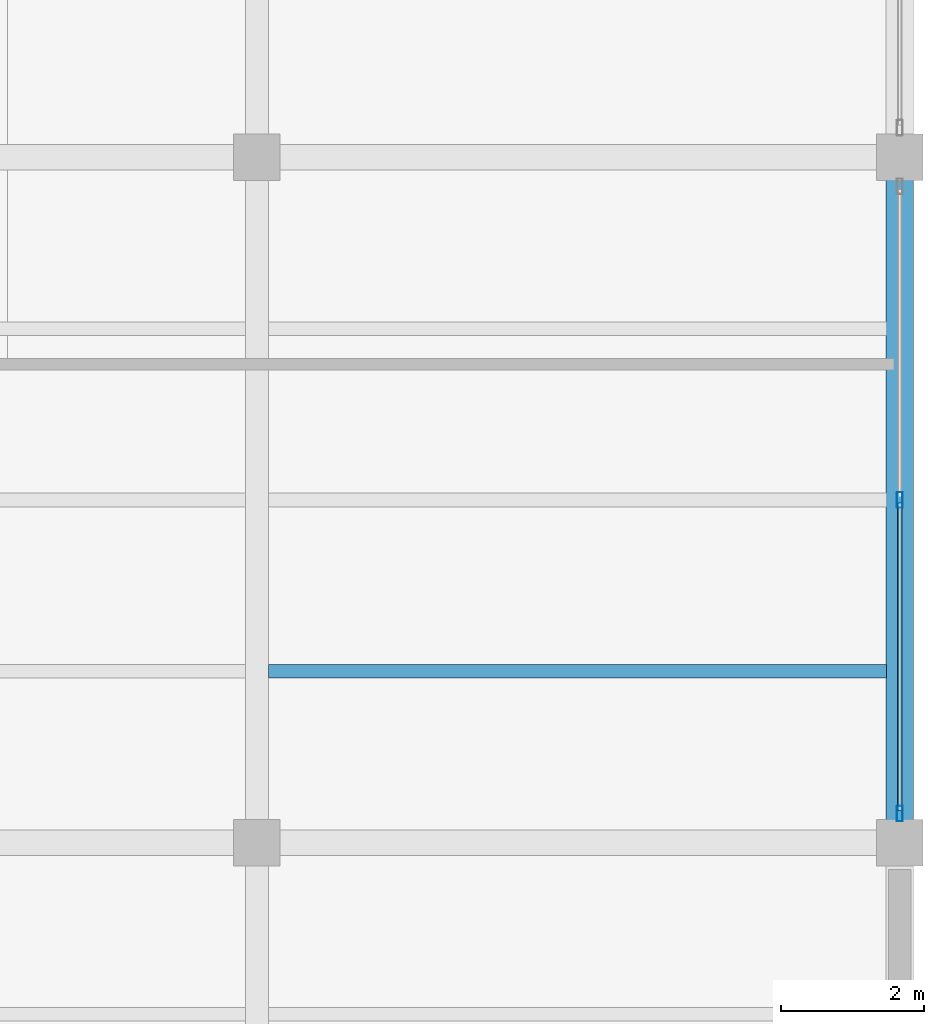
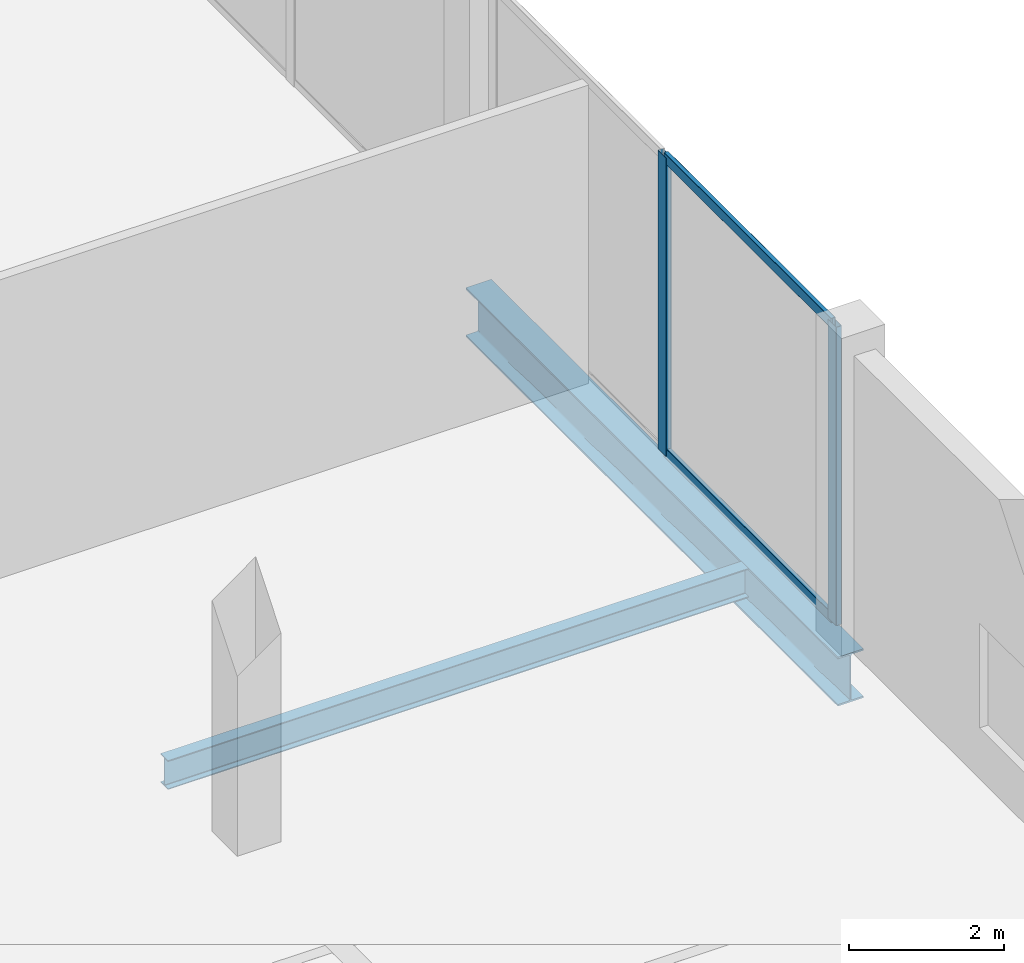
# One storey, part 15 of 43: 4 members, 2 beams, 1 element without a shape of its own.
"""IFC4 building model written with IfcOpenShell, lengths in metres."""

from ifc_helpers import new_model, si_unit, direction, frame, origin, origin_2d, place, context, subcontext, project, spatial, hollow_rectangle, i_section, extrude, material, layer, layer_set, material_profile, profile_set, type_object, element, aggregate, save


model = new_model("IFC4")

# Units and contexts
model_context = context("Model", 3, precision=1e-05, world=origin(), true_north=direction((0.0, 1.0)))
body_context = subcontext(model_context, "Body", "Model", "MODEL_VIEW")
ifc_project = project(units=[si_unit("LENGTHUNIT", "METRE"), si_unit("AREAUNIT", "SQUARE_METRE"), si_unit("VOLUMEUNIT", "CUBIC_METRE"), si_unit("PLANEANGLEUNIT", "RADIAN"), si_unit("MASSUNIT", "GRAM", prefix="KILO")], contexts=[model_context])

# Site, building, storey
site_placement = place(None, origin())
site = spatial("IfcSite", under=ifc_project, at=site_placement, CompositionType="ELEMENT")
building_placement = place(site_placement, origin())
building = spatial("IfcBuilding", under=site, at=building_placement, Name="Qorvath Tower", CompositionType="ELEMENT")
storey_placement = place(building_placement, frame((0.0, 0.0, 22.0)))
storey = spatial("IfcBuildingStorey", under=building, at=storey_placement, Name="L04", CompositionType="ELEMENT", Elevation=22.0)

# Beams
ifc_material_1 = material(Name="Steel ASTM A992 Grade 50", Category="steel")
ifc_material_profile_1 = material_profile(ifc_material_1, i_section(OverallWidth=0.381103515625, OverallDepth=0.77294921875, WebThickness=0.0166015625, FlangeThickness=0.027099609375, FilletRadius=0.01904296875, at=origin_2d()), Name="W30x173")
ifc_profile_set_1 = profile_set([ifc_material_profile_1], Name="Steel ASTM A992 Grade 50")
beam_type_1 = type_object("IfcBeamType", Name="BM-FG3", PredefinedType="BEAM", material=ifc_profile_set_1)
beam_1_placement = place(storey_placement, frame((77.39990234375, -19.199951171875, -0.646484375), z_axis=(0.0, 1.0, 0.0), x_axis=(-1.0, 0.0, 0.0)))
element("IfcBeam", 1, at=beam_1_placement, inside=storey, type_object=beam_type_1, Name="Library N-S Girder L04-6-3", PredefinedType="BEAM", context=body_context, shape_type="SweptSolid", body=[
    extrude(i_section(OverallWidth=0.381103515625, OverallDepth=0.77294921875, WebThickness=0.0166015625, FlangeThickness=0.027099609375, FilletRadius=0.01904296875, at=origin_2d()), origin(), (0.0, 0.0, 1.0), 9.599853515625),
])
ifc_material_2 = material(Name="Steel ASTM A992 Grade 50", Category="steel")
ifc_material_profile_2 = material_profile(ifc_material_2, i_section(OverallWidth=0.18994140625, OverallDepth=0.45703125, WebThickness=0.009033203125, FlangeThickness=0.014404296875, FilletRadius=0.011962890625, at=origin_2d()), Name="W18x50")
ifc_profile_set_2 = profile_set([ifc_material_profile_2], Name="Steel ASTM A992 Grade 50")
beam_type_2 = type_object("IfcBeamType", Name="BM-FJ2", PredefinedType="JOIST", material=ifc_profile_set_2)
beam_2_placement = place(storey_placement, frame((68.560546875, -16.800048828125, -0.488525390625), z_axis=(1.0, 0.0, 0.0), x_axis=(0.0, 1.0, 0.0)))
element("IfcBeam", 2, at=beam_2_placement, inside=storey, type_object=beam_type_2, Name="Library Stack Joist L04-3.1-5", PredefinedType="JOIST", context=body_context, shape_type="SweptSolid", body=[
    extrude(i_section(OverallWidth=0.18994140625, OverallDepth=0.45703125, WebThickness=0.009033203125, FlangeThickness=0.014404296875, FilletRadius=0.011962890625, at=origin_2d()), origin(), (0.0, 0.0, 1.0), 8.65087890625),
])

# Curtain wall, members
ifc_material_3 = material(Name="Anodised aluminium and triple low-E glass", Category="aluminium")
ifc_layer = layer(ifc_material_3, 0.179931640625)
ifc_layer_set = layer_set([ifc_layer], Name="CW-SYS-6")
curtain_wall_type = type_object("IfcCurtainWallType", Name="CW-SYS-6", PredefinedType="NOTDEFINED", material=ifc_layer_set)
curtain_wall_placement = place(storey_placement, origin())
curtain_wall = element("IfcCurtainWall", 3, at=curtain_wall_placement, inside=storey, type_object=curtain_wall_type, Name="Curtain Wall CW-6 CW-LIB-E-L04-3", PredefinedType="NOTDEFINED")
ifc_material_4 = material(Name="Anodised aluminium 6063-T6", Category="aluminium")
ifc_material_profile_3 = material_profile(ifc_material_4, hollow_rectangle(XDim=0.080078125, YDim=0.219970703125, WallThickness=0.00439453125, InnerFilletRadius=0.00439453125, OuterFilletRadius=0.009033203125, at=origin_2d()), Name="CWM LIB 220x80")
ifc_profile_set_3 = profile_set([ifc_material_profile_3], Name="Anodised aluminium 6063-T6")
member_type_1 = type_object("IfcMemberType", Name="CWM-LIB", PredefinedType="MULLION", material=ifc_profile_set_3)
member_1_placement = place(storey_placement, frame((77.39990234375, -18.7900390625, 0.0), z_axis=(0.0, 0.0, 1.0), x_axis=(-1.0, 0.0, 0.0)))
member_1 = element("IfcMember", 4, at=member_1_placement, type_object=member_type_1, Name="CW-6 mullion 1", PredefinedType="MULLION", context=body_context, shape_type="SweptSolid", body=[
    extrude(hollow_rectangle(XDim=0.080078125, YDim=0.219970703125, WallThickness=0.00439453125, InnerFilletRadius=0.00439453125, OuterFilletRadius=0.009033203125, at=origin_2d()), origin(), (0.0, 0.0, 1.0), 4.699951171875),
])
member_2_placement = place(storey_placement, frame((77.39990234375, -14.400146484375, 0.0), z_axis=(0.0, 0.0, 1.0), x_axis=(-1.0, 0.0, 0.0)))
member_2 = element("IfcMember", 5, at=member_2_placement, type_object=member_type_1, Name="CW-6 mullion 2", PredefinedType="MULLION", context=body_context, shape_type="SweptSolid", body=[
    extrude(hollow_rectangle(XDim=0.080078125, YDim=0.219970703125, WallThickness=0.00439453125, InnerFilletRadius=0.00439453125, OuterFilletRadius=0.009033203125, at=origin_2d()), origin(), (0.0, 0.0, 1.0), 4.699951171875),
])
ifc_material_5 = material(Name="Anodised aluminium 6063-T6", Category="aluminium")
ifc_material_profile_4 = material_profile(ifc_material_5, hollow_rectangle(XDim=0.06494140625, YDim=0.159912109375, WallThickness=0.00341796875, InnerFilletRadius=0.00341796875, OuterFilletRadius=0.007080078125, at=origin_2d()), Name="CWT 160x65")
ifc_profile_set_4 = profile_set([ifc_material_profile_4], Name="Anodised aluminium 6063-T6")
member_type_2 = type_object("IfcMemberType", Name="CWT-160", PredefinedType="USERDEFINED", material=ifc_profile_set_4)
member_3_placement = place(storey_placement, frame((77.39990234375, -18.75, 0.032470703125), z_axis=(0.0, 1.0, 0.0), x_axis=(-1.0, 0.0, 0.0)))
member_3 = element("IfcMember", 6, at=member_3_placement, type_object=member_type_2, Name="CW-6 transom 1.1", ObjectType="TRANSOM", PredefinedType="USERDEFINED", context=body_context, shape_type="SweptSolid", body=[
    extrude(hollow_rectangle(XDim=0.06494140625, YDim=0.159912109375, WallThickness=0.00341796875, InnerFilletRadius=0.00341796875, OuterFilletRadius=0.007080078125, at=origin_2d()), origin(), (0.0, 0.0, 1.0), 4.31005859375),
])
member_4_placement = place(storey_placement, frame((77.39990234375, -18.75, 4.66748046875), z_axis=(0.0, 1.0, 0.0), x_axis=(-1.0, 0.0, 0.0)))
member_4 = element("IfcMember", 7, at=member_4_placement, type_object=member_type_2, Name="CW-6 transom 1.2", ObjectType="TRANSOM", PredefinedType="USERDEFINED", context=body_context, shape_type="SweptSolid", body=[
    extrude(hollow_rectangle(XDim=0.06494140625, YDim=0.159912109375, WallThickness=0.00341796875, InnerFilletRadius=0.00341796875, OuterFilletRadius=0.007080078125, at=origin_2d()), origin(), (0.0, 0.0, 1.0), 4.31005859375),
])
aggregate(curtain_wall, [member_1, member_2, member_3, member_4])

save(model, "model.ifc")
